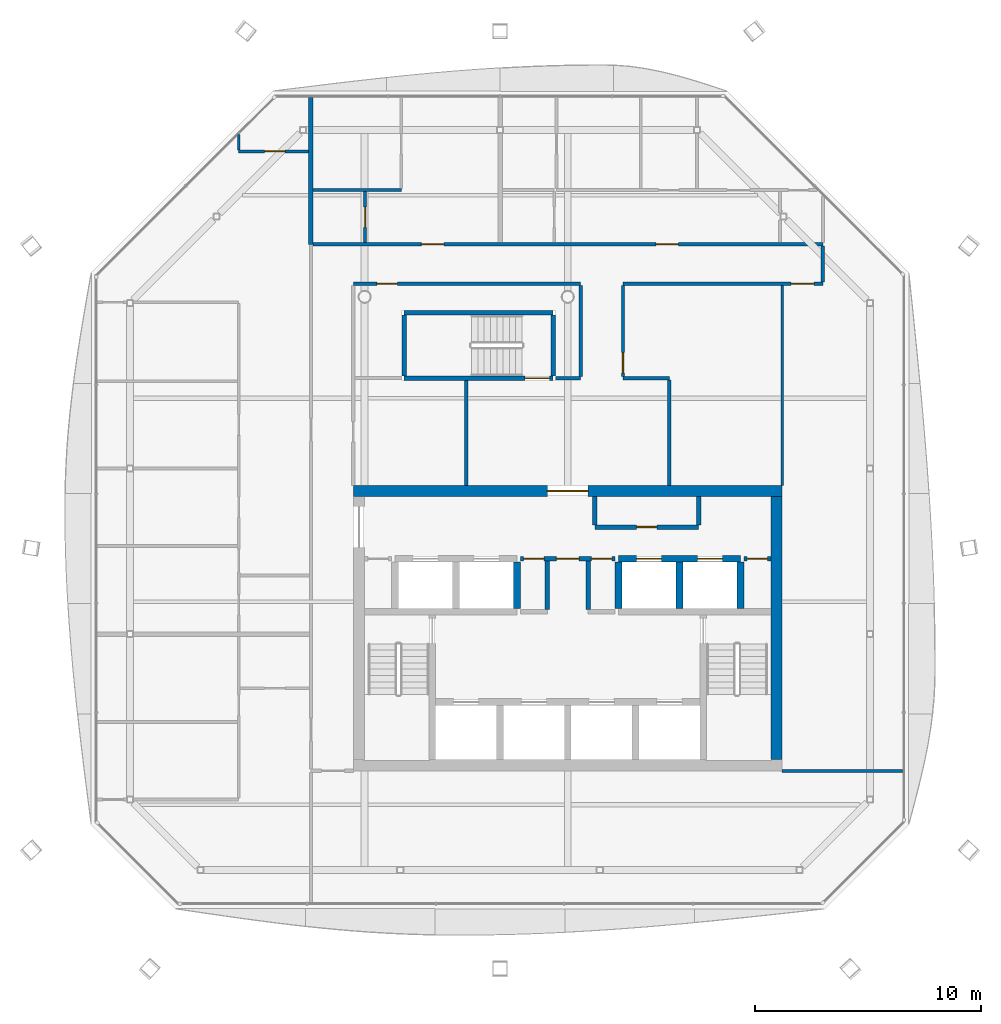
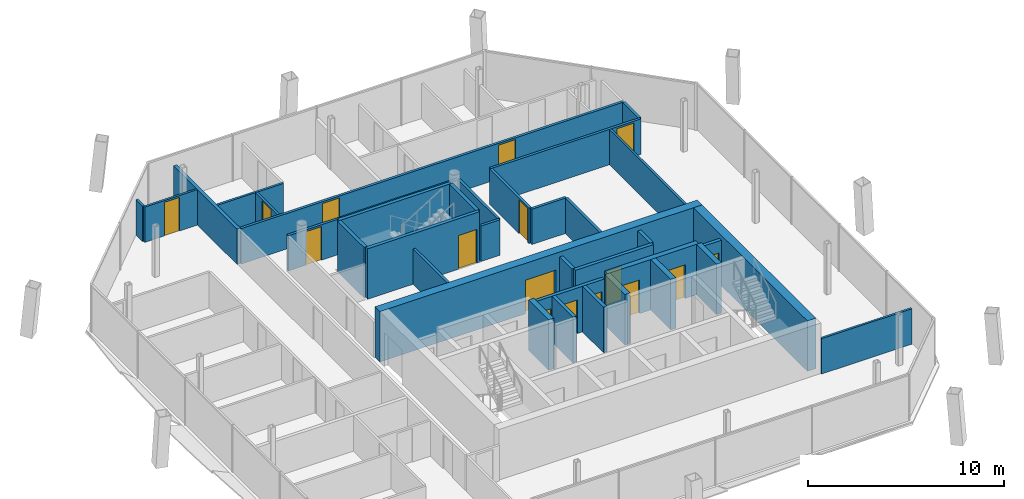
# One storey, part 11 of 15: 35 walls, 16 doors, 16 openings.
"""IFC4 building model written with IfcOpenShell, lengths in metres."""

from ifc_helpers import new_model, si_unit, direction, frame, frame_2d, origin, place, context, subcontext, project, spatial, rectangle, extrude, material, layer, layer_set, type_object, element, fill, save


model = new_model("IFC4")

# Units and contexts
model_context = context("Model", 3, precision=1e-05, world=origin(), true_north=direction((0.0, 1.0)))
body_context = subcontext(model_context, "Body", "Model", "MODEL_VIEW")
ifc_project = project(units=[si_unit("LENGTHUNIT", "METRE"), si_unit("AREAUNIT", "SQUARE_METRE"), si_unit("VOLUMEUNIT", "CUBIC_METRE"), si_unit("PLANEANGLEUNIT", "RADIAN"), si_unit("MASSUNIT", "GRAM", prefix="KILO")], contexts=[model_context])

# Site, building, storey
site_placement = place(None, origin())
site = spatial("IfcSite", under=ifc_project, at=site_placement, CompositionType="ELEMENT")
building_placement = place(site_placement, origin())
building = spatial("IfcBuilding", under=site, at=building_placement, Name="Tskaro Facet Tower", CompositionType="ELEMENT")
storey_placement = place(building_placement, frame((0.0, 0.0, 239.25)))
storey = spatial("IfcBuildingStorey", under=building, at=storey_placement, Name="L62", CompositionType="ELEMENT", Elevation=239.25)

# Wall, openings, doors
ifc_material_1 = material(Name="Concrete C60/75", Category="concrete")
ifc_layer_1 = layer(ifc_material_1, 0.300048828125, Name="Concrete C60/75")
ifc_layer_set_1 = layer_set([ifc_layer_1], Name="Concrete C60/75")
wall_type_1 = type_object("IfcWallType", Name="CORE-SHAFT", PredefinedType="SHEAR", material=ifc_layer_set_1)
wall_1_placement = place(storey_placement, frame((2.25, -2.60009765625, 0.0), z_axis=(0.0, 0.0, 1.0), x_axis=(1.0, 0.0, 0.0)))
wall_1 = element("IfcWall", 1, at=wall_1_placement, inside=storey, type_object=wall_type_1, Name="Shaft wall W018", PredefinedType="SHEAR", context=body_context, shape_type="SweptSolid", body=[
    extrude(rectangle(XDim=5.39990234375, YDim=0.300048828125, at=frame_2d((2.699951171875, 0.0))), origin(), (0.0, 0.0, 1.0), 3.14990234375),
])
opening_1_placement = place(wall_1_placement, frame((0.800048828125, 0.0, 0.0)))
opening_1 = element("IfcOpeningElement", 2, at=opening_1_placement, cuts=wall_1, Name="Opening LD-HB3", PredefinedType="OPENING", context=body_context, shape_type="SweptSolid", body=[
    extrude(rectangle(XDim=1.10009765625, YDim=2.10009765625, at=frame_2d((0.550048828125, 1.050048828125))), frame((0.0, 0.159912109375, 0.0), z_axis=(0.0, -1.0, 0.0), x_axis=(1.0, 0.0, 0.0)), (0.0, 0.0, 1.0), 0.320068359375),
])
opening_2_placement = place(wall_1_placement, frame((3.5, 0.0, 0.0)))
opening_2 = element("IfcOpeningElement", 3, at=opening_2_placement, cuts=wall_1, Name="Opening LD-HB4", PredefinedType="OPENING", context=body_context, shape_type="SweptSolid", body=[
    extrude(rectangle(XDim=1.10009765625, YDim=2.10009765625, at=frame_2d((0.550048828125, 1.050048828125))), frame((0.0, 0.159912109375, 0.0), z_axis=(0.0, -1.0, 0.0), x_axis=(1.0, 0.0, 0.0)), (0.0, 0.0, 1.0), 0.320068359375),
])
ifc_material_2 = material(Name="Stainless steel", Category="steel")
door_type_1 = type_object("IfcDoorType", Name="D-LANDING", OperationType="NOTDEFINED", PredefinedType="DOOR", material=ifc_material_2)
door_1_placement = place(opening_1_placement, origin())
door_1 = element("IfcDoor", 4, at=door_1_placement, inside=storey, type_object=door_type_1, Name="Landing door HB3", OperationType="DOUBLE_DOOR_SLIDING", OverallHeight=2.10009765625, OverallWidth=1.10009765625, PredefinedType="DOOR", context=body_context, shape_type="SweptSolid", body=[
    extrude(rectangle(XDim=1.10009765625, YDim=2.10009765625, at=frame_2d((0.550048828125, 1.050048828125))), frame((0.0, 0.02490234375, 0.0), z_axis=(0.0, -1.0, 0.0), x_axis=(1.0, 0.0, 0.0)), (0.0, 0.0, 1.0), 0.050048828125),
])
fill(opening_1, door_1)
door_2_placement = place(opening_2_placement, origin())
door_2 = element("IfcDoor", 5, at=door_2_placement, inside=storey, type_object=door_type_1, Name="Landing door HB4", OperationType="DOUBLE_DOOR_SLIDING", OverallHeight=2.10009765625, OverallWidth=1.10009765625, PredefinedType="DOOR", context=body_context, shape_type="SweptSolid", body=[
    extrude(rectangle(XDim=1.10009765625, YDim=2.10009765625, at=frame_2d((0.550048828125, 1.050048828125))), frame((0.0, 0.02490234375, 0.0), z_axis=(0.0, -1.0, 0.0), x_axis=(1.0, 0.0, 0.0)), (0.0, 0.0, 1.0), 0.050048828125),
])
fill(opening_2, door_2)

# Walls
for number, where, z_axis, x_axis, name in (
    (6, (-2.25, -4.800048828125, 0.0), (0.0, 0.0, 1.0), (0.0, 1.0, 0.0), "Shaft wall W055"),
    (7, (2.25, -4.800048828125, 0.0), (0.0, 0.0, 1.0), (0.0, 1.0, 0.0), "Shaft wall W064"),
    (8, (4.949951171875, -4.800048828125, 0.0), (0.0, 0.0, 1.0), (0.0, 1.0, 0.0), "Shaft wall W069"),
    (9, (7.64990234375, -4.800048828125, 0.0), (0.0, 0.0, 1.0), (0.0, 1.0, 0.0), "Shaft wall W074"),
):
    element("IfcWall", number, at=place(storey_placement, frame(where, z_axis=z_axis, x_axis=x_axis)), inside=storey, type_object=wall_type_1, Name=name, PredefinedType="SHEAR", context=body_context, shape_type="SweptSolid", body=[
        extrude(rectangle(XDim=2.050048828125, YDim=0.300048828125, at=frame_2d((1.02490234375, 0.0))), origin(), (0.0, 0.0, 1.0), 3.14990234375),
    ])

# Wall, openings, doors
ifc_material_3 = material(Name="Concrete C20/25", Category="concrete")
ifc_layer_2 = layer(ifc_material_3, 0.199951171875, Name="Concrete C20/25")
ifc_layer_set_2 = layer_set([ifc_layer_2], Name="Concrete C20/25")
wall_type_2 = type_object("IfcWallType", Name="CORE-WALL", PredefinedType="SOLIDWALL", material=ifc_layer_set_2)
wall_2_placement = place(storey_placement, frame((2.10009765625, -2.60009765625, 0.0), z_axis=(0.0, 0.0, 1.0), x_axis=(-1.0, 0.0, 0.0)))
wall_2 = element("IfcWall", 10, at=wall_2_placement, inside=storey, type_object=wall_type_2, Name="Core room wall W017", PredefinedType="SOLIDWALL", context=body_context, shape_type="SweptSolid", body=[
    extrude(rectangle(XDim=4.2001953125, YDim=0.199951171875, at=frame_2d((2.10009765625, 0.0))), origin(), (0.0, 0.0, 1.0), 2.85009765625),
])
opening_3_placement = place(wall_2_placement, frame((1.60009765625, 0.0, 0.0)))
opening_3 = element("IfcOpeningElement", 11, at=opening_3_placement, cuts=wall_2, Name="Opening FL-D1", PredefinedType="OPENING", context=body_context, shape_type="SweptSolid", body=[
    extrude(rectangle(XDim=1.0, YDim=2.10009765625, at=frame_2d((0.5, 1.050048828125))), frame((0.0, 0.10986328125, 0.0), z_axis=(0.0, -1.0, 0.0), x_axis=(1.0, 0.0, 0.0)), (0.0, 0.0, 1.0), 0.219970703125),
])
opening_4_placement = place(wall_2_placement, frame((3.14990234375, 0.0, 0.0)))
opening_4 = element("IfcOpeningElement", 12, at=opening_4_placement, cuts=wall_2, Name="Opening T18-D09", PredefinedType="OPENING", context=body_context, shape_type="SweptSolid", body=[
    extrude(rectangle(XDim=0.89990234375, YDim=2.10009765625, at=frame_2d((0.449951171875, 1.050048828125))), frame((0.0, 0.10986328125, 0.0), z_axis=(0.0, -1.0, 0.0), x_axis=(1.0, 0.0, 0.0)), (0.0, 0.0, 1.0), 0.219970703125),
])
opening_5_placement = place(wall_2_placement, frame((0.14990234375, 0.0, 0.0)))
opening_5 = element("IfcOpeningElement", 13, at=opening_5_placement, cuts=wall_2, Name="Opening T18-D10", PredefinedType="OPENING", context=body_context, shape_type="SweptSolid", body=[
    extrude(rectangle(XDim=0.89990234375, YDim=2.10009765625, at=frame_2d((0.449951171875, 1.050048828125))), frame((0.0, 0.10986328125, 0.0), z_axis=(0.0, -1.0, 0.0), x_axis=(1.0, 0.0, 0.0)), (0.0, 0.0, 1.0), 0.219970703125),
])
ifc_material_4 = material(Name="Steel", Category="steel")
door_type_2 = type_object("IfcDoorType", Name="D-LOBBY", OperationType="NOTDEFINED", PredefinedType="DOOR", material=ifc_material_4)
door_3_placement = place(opening_3_placement, origin())
door_3 = element("IfcDoor", 14, at=door_3_placement, inside=storey, type_object=door_type_2, Name="Lobby door FL", OperationType="SINGLE_SWING_RIGHT", OverallHeight=2.10009765625, OverallWidth=1.0, PredefinedType="DOOR", context=body_context, shape_type="SweptSolid", body=[
    extrude(rectangle(XDim=1.0, YDim=2.10009765625, at=frame_2d((0.5, 1.050048828125))), frame((0.0, 0.02490234375, 0.0), z_axis=(0.0, -1.0, 0.0), x_axis=(1.0, 0.0, 0.0)), (0.0, 0.0, 1.0), 0.050048828125),
])
fill(opening_3, door_3)
ifc_material_5 = material(Name="Timber", Category="wood")
door_type_3 = type_object("IfcDoorType", Name="D-ROOM", OperationType="NOTDEFINED", PredefinedType="DOOR", material=ifc_material_5)
door_4_placement = place(opening_4_placement, origin())
door_4 = element("IfcDoor", 15, at=door_4_placement, inside=storey, type_object=door_type_3, Name="Door T18-D09", OperationType="SINGLE_SWING_RIGHT", OverallHeight=2.10009765625, OverallWidth=0.89990234375, PredefinedType="DOOR", context=body_context, shape_type="SweptSolid", body=[
    extrude(rectangle(XDim=0.89990234375, YDim=2.10009765625, at=frame_2d((0.449951171875, 1.050048828125))), frame((0.0, 0.02490234375, 0.0), z_axis=(0.0, -1.0, 0.0), x_axis=(1.0, 0.0, 0.0)), (0.0, 0.0, 1.0), 0.050048828125),
])
fill(opening_4, door_4)
door_5_placement = place(opening_5_placement, origin())
door_5 = element("IfcDoor", 16, at=door_5_placement, inside=storey, type_object=door_type_3, Name="Door T18-D10", OperationType="SINGLE_SWING_RIGHT", OverallHeight=2.10009765625, OverallWidth=0.89990234375, PredefinedType="DOOR", context=body_context, shape_type="SweptSolid", body=[
    extrude(rectangle(XDim=0.89990234375, YDim=2.10009765625, at=frame_2d((0.449951171875, 1.050048828125))), frame((0.0, 0.02490234375, 0.0), z_axis=(0.0, -1.0, 0.0), x_axis=(1.0, 0.0, 0.0)), (0.0, 0.0, 1.0), 0.050048828125),
])
fill(opening_5, door_5)

# Wall, opening, door
wall_3_placement = place(storey_placement, frame((9.0, -2.60009765625, 0.0), z_axis=(0.0, 0.0, 1.0), x_axis=(-1.0, 0.0, 0.0)))
wall_3 = element("IfcWall", 17, at=wall_3_placement, inside=storey, type_object=wall_type_2, Name="Core room wall W019", PredefinedType="SOLIDWALL", context=body_context, shape_type="SweptSolid", body=[
    extrude(rectangle(XDim=1.199951171875, YDim=0.199951171875, at=frame_2d((0.60009765625, 0.0))), origin(), (0.0, 0.0, 1.0), 2.85009765625),
])
opening_6_placement = place(wall_3_placement, frame((0.14990234375, 0.0, 0.0)))
opening_6 = element("IfcOpeningElement", 18, at=opening_6_placement, cuts=wall_3, Name="Opening T18-D11", PredefinedType="OPENING", context=body_context, shape_type="SweptSolid", body=[
    extrude(rectangle(XDim=0.89990234375, YDim=2.10009765625, at=frame_2d((0.449951171875, 1.050048828125))), frame((0.0, 0.10986328125, 0.0), z_axis=(0.0, -1.0, 0.0), x_axis=(1.0, 0.0, 0.0)), (0.0, 0.0, 1.0), 0.219970703125),
])
door_6_placement = place(opening_6_placement, origin())
door_6 = element("IfcDoor", 19, at=door_6_placement, inside=storey, type_object=door_type_3, Name="Door T18-D11", OperationType="SINGLE_SWING_RIGHT", OverallHeight=2.10009765625, OverallWidth=0.89990234375, PredefinedType="DOOR", context=body_context, shape_type="SweptSolid", body=[
    extrude(rectangle(XDim=0.89990234375, YDim=2.10009765625, at=frame_2d((0.449951171875, 1.050048828125))), frame((0.0, 0.02490234375, 0.0), z_axis=(0.0, -1.0, 0.0), x_axis=(1.0, 0.0, 0.0)), (0.0, 0.0, 1.0), 0.050048828125),
])
fill(opening_6, door_6)

wall_4_placement = place(storey_placement, frame((1.199951171875, -1.199951171875, 0.0), z_axis=(0.0, 0.0, 1.0), x_axis=(1.0, 0.0, 0.0)))
wall_4 = element("IfcWall", 20, at=wall_4_placement, inside=storey, type_object=wall_type_2, Name="Core room wall W021", PredefinedType="SOLIDWALL", context=body_context, shape_type="SweptSolid", body=[
    extrude(rectangle(XDim=4.60009765625, YDim=0.199951171875, at=frame_2d((2.300048828125, 0.0))), origin(), (0.0, 0.0, 1.0), 2.85009765625),
])
opening_7_placement = place(wall_4_placement, frame((1.85009765625, 0.0, 0.0)))
opening_7 = element("IfcOpeningElement", 21, at=opening_7_placement, cuts=wall_4, Name="Opening T18-D13", PredefinedType="OPENING", context=body_context, shape_type="SweptSolid", body=[
    extrude(rectangle(XDim=0.89990234375, YDim=2.10009765625, at=frame_2d((0.449951171875, 1.050048828125))), frame((0.0, 0.10986328125, 0.0), z_axis=(0.0, -1.0, 0.0), x_axis=(1.0, 0.0, 0.0)), (0.0, 0.0, 1.0), 0.219970703125),
])
door_7_placement = place(opening_7_placement, origin())
door_7 = element("IfcDoor", 22, at=door_7_placement, inside=storey, type_object=door_type_3, Name="Door T18-D13", OperationType="SINGLE_SWING_LEFT", OverallHeight=2.10009765625, OverallWidth=0.89990234375, PredefinedType="DOOR", context=body_context, shape_type="SweptSolid", body=[
    extrude(rectangle(XDim=0.89990234375, YDim=2.10009765625, at=frame_2d((0.449951171875, 1.050048828125))), frame((0.0, 0.02490234375, 0.0), z_axis=(0.0, -1.0, 0.0), x_axis=(1.0, 0.0, 0.0)), (0.0, 0.0, 1.0), 0.050048828125),
])
fill(opening_7, door_7)

# Walls
for number, where, z_axis, x_axis, name in (
    (23, (-0.89990234375, -4.85009765625, 0.0), (0.0, 0.0, 1.0), (0.0, 1.0, 0.0), "Core room wall W056"),
    (24, (0.89990234375, -4.85009765625, 0.0), (0.0, 0.0, 1.0), (0.0, 1.0, 0.0), "Core room wall W062"),
):
    element("IfcWall", number, at=place(storey_placement, frame(where, z_axis=z_axis, x_axis=x_axis)), inside=storey, type_object=wall_type_2, Name=name, PredefinedType="SOLIDWALL", context=body_context, shape_type="SweptSolid", body=[
        extrude(rectangle(XDim=2.150146484375, YDim=0.199951171875, at=frame_2d((1.0751953125, 0.0))), origin(), (0.0, 0.0, 1.0), 2.85009765625),
    ])
for number, where, z_axis, x_axis, name in (
    (25, (1.199951171875, -1.10009765625, 0.0), (0.0, 0.0, 1.0), (0.0, 1.0, 0.0), "Core room wall W063"),
    (26, (5.800048828125, -1.10009765625, 0.0), (0.0, 0.0, 1.0), (0.0, 1.0, 0.0), "Core room wall W072"),
):
    element("IfcWall", number, at=place(storey_placement, frame(where, z_axis=z_axis, x_axis=x_axis)), inside=storey, type_object=wall_type_2, Name=name, PredefinedType="SOLIDWALL", context=body_context, shape_type="SweptSolid", body=[
        extrude(rectangle(XDim=1.25, YDim=0.199951171875, at=frame_2d((0.625, 0.0))), origin(), (0.0, 0.0, 1.0), 2.85009765625),
    ])

# Wall, opening, door
ifc_material_6 = material(Name="Concrete C40/50", Category="concrete")
ifc_layer_3 = layer(ifc_material_6, 0.5, Name="Concrete C40/50")
ifc_layer_set_3 = layer_set([ifc_layer_3], Name="Concrete C40/50")
wall_type_3 = type_object("IfcWallType", Name="Core wall 500", PredefinedType="SHEAR", material=ifc_layer_set_3)
wall_5_placement = place(storey_placement, frame((-9.5, 0.39990234375, 0.0), z_axis=(0.0, 0.0, 1.0), x_axis=(1.0, 0.0, 0.0)))
wall_5 = element("IfcWall", 27, at=wall_5_placement, inside=storey, type_object=wall_type_3, Name="Core wall CW-Z3N", PredefinedType="SHEAR", context=body_context, shape_type="SweptSolid", body=[
    extrude(rectangle(XDim=19.0, YDim=0.5, at=frame_2d((9.5, 0.0))), origin(), (0.0, 0.0, 1.0), 3.14990234375),
])
opening_8_placement = place(wall_5_placement, frame((8.60009765625, 0.0, 0.0)))
opening_8 = element("IfcOpeningElement", 28, at=opening_8_placement, cuts=wall_5, Name="Opening T18-D15", PredefinedType="OPENING", context=body_context, shape_type="SweptSolid", body=[
    extrude(rectangle(XDim=1.800048828125, YDim=2.10009765625, at=frame_2d((0.89990234375, 1.050048828125))), frame((0.0, 0.260009765625, 0.0), z_axis=(0.0, -1.0, 0.0), x_axis=(1.0, 0.0, 0.0)), (0.0, 0.0, 1.0), 0.52001953125),
])
door_type_4 = type_object("IfcDoorType", Name="D-CORE-PAIR", OperationType="NOTDEFINED", PredefinedType="DOOR", material=ifc_material_4)
door_8_placement = place(opening_8_placement, origin())
door_8 = element("IfcDoor", 29, at=door_8_placement, inside=storey, type_object=door_type_4, Name="Door T18-D15", OperationType="DOUBLE_DOOR_SINGLE_SWING", OverallHeight=2.10009765625, OverallWidth=1.800048828125, PredefinedType="DOOR", context=body_context, shape_type="SweptSolid", body=[
    extrude(rectangle(XDim=1.800048828125, YDim=2.10009765625, at=frame_2d((0.89990234375, 1.050048828125))), frame((0.0, 0.02490234375, 0.0), z_axis=(0.0, -1.0, 0.0), x_axis=(1.0, 0.0, 0.0)), (0.0, 0.0, 1.0), 0.050048828125),
])
fill(opening_8, door_8)

# Walls
wall_6_placement = place(storey_placement, frame((9.25, -11.5, 0.0), z_axis=(0.0, 0.0, 1.0), x_axis=(0.0, 1.0, 0.0)))
element("IfcWall", 30, at=wall_6_placement, inside=storey, type_object=wall_type_3, Name="Core wall CW-Z3E", PredefinedType="SHEAR", context=body_context, shape_type="SweptSolid", body=[
    extrude(rectangle(XDim=11.64990234375, YDim=0.5, at=frame_2d((5.824951171875, 0.0))), origin(), (0.0, 0.0, 1.0), 3.14990234375),
])
ifc_material_7 = material(Name="Gypsum board on steel studs", Category="steel")
ifc_layer_4 = layer(ifc_material_7, 0.125, Name="Gypsum board on steel studs")
ifc_layer_set_4 = layer_set([ifc_layer_4], Name="Gypsum board on steel studs")
wall_type_4 = type_object("IfcWallType", Name="PART", PredefinedType="PARTITIONING", material=ifc_layer_set_4)
wall_7_placement = place(storey_placement, frame((9.5, -12.0, 0.0), z_axis=(0.0, 0.0, 1.0), x_axis=(1.0, 0.0, 0.0)))
element("IfcWall", 31, at=wall_7_placement, inside=storey, type_object=wall_type_4, Name="Partition W004", PredefinedType="PARTITIONING", context=body_context, shape_type="SweptSolid", body=[
    extrude(rectangle(XDim=5.339111328125, YDim=0.125, at=frame_2d((2.66943359375, 0.0))), origin(), (0.0, 0.0, 1.0), 2.2099609375),
])
wall_8_placement = place(storey_placement, frame((-11.27490234375, 13.72509765625, 0.0), z_axis=(0.0, 0.0, 1.0), x_axis=(1.0, 0.0, 0.0)))
element("IfcWall", 32, at=wall_8_placement, inside=storey, type_object=wall_type_4, Name="Partition W035", PredefinedType="PARTITIONING", context=body_context, shape_type="SweptSolid", body=[
    extrude(rectangle(XDim=3.89990234375, YDim=0.125, at=frame_2d((1.949951171875, 0.0))), origin(), (0.0, 0.0, 1.0), 2.2099609375),
])

# Wall, opening, door
wall_9_placement = place(storey_placement, frame((-14.574951171875, 15.43994140625, 0.0), z_axis=(0.0, 0.0, 1.0), x_axis=(1.0, 0.0, 0.0)))
wall_9 = element("IfcWall", 33, at=wall_9_placement, inside=storey, type_object=wall_type_4, Name="Partition W038", PredefinedType="PARTITIONING", context=body_context, shape_type="SweptSolid", body=[
    extrude(rectangle(XDim=3.099853515625, YDim=0.125, at=frame_2d((1.5498046875, 0.0))), origin(), (0.0, 0.0, 1.0), 2.2099609375),
])
opening_9_placement = place(wall_9_placement, frame((1.14990234375, 0.0, 0.0)))
opening_9 = element("IfcOpeningElement", 34, at=opening_9_placement, cuts=wall_9, Name="Opening T18-D30", PredefinedType="OPENING", context=body_context, shape_type="SweptSolid", body=[
    extrude(rectangle(XDim=0.89990234375, YDim=2.10009765625, at=frame_2d((0.449951171875, 1.050048828125))), frame((0.0, 0.072509765625, 0.0), z_axis=(0.0, -1.0, 0.0), x_axis=(1.0, 0.0, 0.0)), (0.0, 0.0, 1.0), 0.14501953125),
])
door_9_placement = place(opening_9_placement, origin())
door_9 = element("IfcDoor", 35, at=door_9_placement, inside=storey, type_object=door_type_3, Name="Door T18-D30", OperationType="SINGLE_SWING_LEFT", OverallHeight=2.10009765625, OverallWidth=0.89990234375, PredefinedType="DOOR", context=body_context, shape_type="SweptSolid", body=[
    extrude(rectangle(XDim=0.89990234375, YDim=2.10009765625, at=frame_2d((0.449951171875, 1.050048828125))), frame((0.0, 0.02490234375, 0.0), z_axis=(0.0, -1.0, 0.0), x_axis=(1.0, 0.0, 0.0)), (0.0, 0.0, 1.0), 0.050048828125),
])
fill(opening_9, door_9)

# Wall
wall_10_placement = place(storey_placement, frame((-14.574951171875, 15.50244140625, 0.0), z_axis=(0.0, 0.0, 1.0), x_axis=(0.0, 1.0, 0.0)))
element("IfcWall", 36, at=wall_10_placement, inside=storey, type_object=wall_type_4, Name="Partition W040", PredefinedType="PARTITIONING", context=body_context, shape_type="SweptSolid", body=[
    extrude(rectangle(XDim=0.689453125, YDim=0.125, at=frame_2d((0.3447265625, 0.0))), origin(), (0.0, 0.0, 1.0), 2.2099609375),
])

# Wall, opening, door
wall_11_placement = place(storey_placement, frame((-8.97509765625, 11.39990234375, 0.0), z_axis=(0.0, 0.0, 1.0), x_axis=(0.0, 1.0, 0.0)))
wall_11 = element("IfcWall", 37, at=wall_11_placement, inside=storey, type_object=wall_type_4, Name="Partition W045", PredefinedType="PARTITIONING", context=body_context, shape_type="SweptSolid", body=[
    extrude(rectangle(XDim=2.2626953125, YDim=0.125, at=frame_2d((1.13134765625, 0.0))), origin(), (0.0, 0.0, 1.0), 2.2099609375),
])
opening_10_placement = place(wall_11_placement, frame((0.675048828125, 0.0, 0.0)))
opening_10 = element("IfcOpeningElement", 38, at=opening_10_placement, cuts=wall_11, Name="Opening T18-D25", PredefinedType="OPENING", context=body_context, shape_type="SweptSolid", body=[
    extrude(rectangle(XDim=0.89990234375, YDim=2.10009765625, at=frame_2d((0.449951171875, 1.050048828125))), frame((0.0, 0.072509765625, 0.0), z_axis=(0.0, -1.0, 0.0), x_axis=(1.0, 0.0, 0.0)), (0.0, 0.0, 1.0), 0.14501953125),
])
door_10_placement = place(opening_10_placement, origin())
door_10 = element("IfcDoor", 39, at=door_10_placement, inside=storey, type_object=door_type_3, Name="Door T18-D25", OperationType="SINGLE_SWING_LEFT", OverallHeight=2.10009765625, OverallWidth=0.89990234375, PredefinedType="DOOR", context=body_context, shape_type="SweptSolid", body=[
    extrude(rectangle(XDim=0.89990234375, YDim=2.10009765625, at=frame_2d((0.449951171875, 1.050048828125))), frame((0.0, 0.02490234375, 0.0), z_axis=(0.0, -1.0, 0.0), x_axis=(1.0, 0.0, 0.0)), (0.0, 0.0, 1.0), 0.050048828125),
])
fill(opening_10, door_10)

# Walls
wall_12_placement = place(storey_placement, frame((9.5, 0.64990234375, 0.0), z_axis=(0.0, 0.0, 1.0), x_axis=(0.0, 1.0, 0.0)))
element("IfcWall", 40, at=wall_12_placement, inside=storey, type_object=wall_type_4, Name="Partition W077", PredefinedType="PARTITIONING", context=body_context, shape_type="SweptSolid", body=[
    extrude(rectangle(XDim=8.85009765625, YDim=0.125, at=frame_2d((4.425048828125, 0.0))), origin(), (0.0, 0.0, 1.0), 2.2099609375),
])
ifc_layer_5 = layer(ifc_material_7, 0.14990234375, Name="Gypsum board on steel studs")
ifc_layer_set_5 = layer_set([ifc_layer_5], Name="Gypsum board on steel studs")
wall_type_5 = type_object("IfcWallType", Name="PART-CORR", PredefinedType="PARTITIONING", material=ifc_layer_set_5)
wall_13_placement = place(storey_placement, frame((-0.550048828125, 5.39990234375, 0.0), z_axis=(0.0, 0.0, 1.0), x_axis=(1.0, 0.0, 0.0)))
element("IfcWall", 41, at=wall_13_placement, inside=storey, type_object=wall_type_5, Name="Corridor wall W027", PredefinedType="PARTITIONING", context=body_context, shape_type="SweptSolid", body=[
    extrude(rectangle(XDim=1.125, YDim=0.14990234375, at=frame_2d((0.5625, 0.0))), origin(), (0.0, 0.0, 1.0), 2.2099609375),
])
wall_14_placement = place(storey_placement, frame((2.449951171875, 5.39990234375, 0.0), z_axis=(0.0, 0.0, 1.0), x_axis=(1.0, 0.0, 0.0)))
element("IfcWall", 42, at=wall_14_placement, inside=storey, type_object=wall_type_5, Name="Corridor wall W028", PredefinedType="PARTITIONING", context=body_context, shape_type="SweptSolid", body=[
    extrude(rectangle(XDim=2.050048828125, YDim=0.14990234375, at=frame_2d((1.02490234375, 0.0))), origin(), (0.0, 0.0, 1.0), 2.2099609375),
])

# Wall, opening, door
wall_15_placement = place(storey_placement, frame((0.574951171875, 9.574951171875, 0.0), z_axis=(0.0, 0.0, 1.0), x_axis=(-1.0, 0.0, 0.0)))
wall_15 = element("IfcWall", 43, at=wall_15_placement, inside=storey, type_object=wall_type_5, Name="Corridor wall W032", PredefinedType="PARTITIONING", context=body_context, shape_type="SweptSolid", body=[
    extrude(rectangle(XDim=10.074951171875, YDim=0.14990234375, at=frame_2d((5.03759765625, 0.0))), origin(), (0.0, 0.0, 1.0), 2.2099609375),
])
opening_11_placement = place(wall_15_placement, frame((8.125, 0.0, 0.0)))
opening_11 = element("IfcOpeningElement", 44, at=opening_11_placement, cuts=wall_15, Name="Opening T18-D21", PredefinedType="OPENING", context=body_context, shape_type="SweptSolid", body=[
    extrude(rectangle(XDim=0.89990234375, YDim=2.10009765625, at=frame_2d((0.449951171875, 1.050048828125))), frame((0.0, 0.0849609375, 0.0), z_axis=(0.0, -1.0, 0.0), x_axis=(1.0, 0.0, 0.0)), (0.0, 0.0, 1.0), 0.169921875),
])
door_11_placement = place(opening_11_placement, origin())
door_11 = element("IfcDoor", 45, at=door_11_placement, inside=storey, type_object=door_type_3, Name="Door T18-D21", OperationType="SINGLE_SWING_RIGHT", OverallHeight=2.10009765625, OverallWidth=0.89990234375, PredefinedType="DOOR", context=body_context, shape_type="SweptSolid", body=[
    extrude(rectangle(XDim=0.89990234375, YDim=2.10009765625, at=frame_2d((0.449951171875, 1.050048828125))), frame((0.0, 0.02490234375, 0.0), z_axis=(0.0, -1.0, 0.0), x_axis=(1.0, 0.0, 0.0)), (0.0, 0.0, 1.0), 0.050048828125),
])
fill(opening_11, door_11)

wall_16_placement = place(storey_placement, frame((11.300048828125, 9.574951171875, 0.0), z_axis=(0.0, 0.0, 1.0), x_axis=(-1.0, 0.0, 0.0)))
wall_16 = element("IfcWall", 46, at=wall_16_placement, inside=storey, type_object=wall_type_5, Name="Corridor wall W033", PredefinedType="PARTITIONING", context=body_context, shape_type="SweptSolid", body=[
    extrude(rectangle(XDim=8.85009765625, YDim=0.14990234375, at=frame_2d((4.425048828125, 0.0))), origin(), (0.0, 0.0, 1.0), 2.2099609375),
])
opening_12_placement = place(wall_16_placement, frame((0.39990234375, 0.0, 0.0)))
opening_12 = element("IfcOpeningElement", 47, at=opening_12_placement, cuts=wall_16, Name="Opening T18-D22", PredefinedType="OPENING", context=body_context, shape_type="SweptSolid", body=[
    extrude(rectangle(XDim=1.0, YDim=2.10009765625, at=frame_2d((0.5, 1.050048828125))), frame((0.0, 0.0849609375, 0.0), z_axis=(0.0, -1.0, 0.0), x_axis=(1.0, 0.0, 0.0)), (0.0, 0.0, 1.0), 0.169921875),
])
door_type_5 = type_object("IfcDoorType", Name="D-ROOM-WIDE", OperationType="NOTDEFINED", PredefinedType="DOOR", material=ifc_material_5)
door_12_placement = place(opening_12_placement, origin())
door_12 = element("IfcDoor", 48, at=door_12_placement, inside=storey, type_object=door_type_5, Name="Door T18-D22", OperationType="SINGLE_SWING_RIGHT", OverallHeight=2.10009765625, OverallWidth=1.0, PredefinedType="DOOR", context=body_context, shape_type="SweptSolid", body=[
    extrude(rectangle(XDim=1.0, YDim=2.10009765625, at=frame_2d((0.5, 1.050048828125))), frame((0.0, 0.02490234375, 0.0), z_axis=(0.0, -1.0, 0.0), x_axis=(1.0, 0.0, 0.0)), (0.0, 0.0, 1.0), 0.050048828125),
])
fill(opening_12, door_12)

# Wall, openings, doors
wall_17_placement = place(storey_placement, frame((-11.27490234375, 11.324951171875, 0.0), z_axis=(0.0, 0.0, 1.0), x_axis=(1.0, 0.0, 0.0)))
wall_17 = element("IfcWall", 49, at=wall_17_placement, inside=storey, type_object=wall_type_5, Name="Corridor wall W034", PredefinedType="PARTITIONING", context=body_context, shape_type="SweptSolid", body=[
    extrude(rectangle(XDim=22.574951171875, YDim=0.14990234375, at=frame_2d((11.28759765625, 0.0))), origin(), (0.0, 0.0, 1.0), 2.2099609375),
])
opening_13_placement = place(wall_17_placement, frame((4.78759765625, 0.0, 0.0)))
opening_13 = element("IfcOpeningElement", 50, at=opening_13_placement, cuts=wall_17, Name="Opening T18-D23", PredefinedType="OPENING", context=body_context, shape_type="SweptSolid", body=[
    extrude(rectangle(XDim=1.0, YDim=2.10009765625, at=frame_2d((0.5, 1.050048828125))), frame((0.0, 0.0849609375, 0.0), z_axis=(0.0, -1.0, 0.0), x_axis=(1.0, 0.0, 0.0)), (0.0, 0.0, 1.0), 0.169921875),
])
opening_14_placement = place(wall_17_placement, frame((15.175048828125, 0.0, 0.0)))
opening_14 = element("IfcOpeningElement", 51, at=opening_14_placement, cuts=wall_17, Name="Opening T18-D24", PredefinedType="OPENING", context=body_context, shape_type="SweptSolid", body=[
    extrude(rectangle(XDim=1.0, YDim=2.10009765625, at=frame_2d((0.5, 1.050048828125))), frame((0.0, 0.0849609375, 0.0), z_axis=(0.0, -1.0, 0.0), x_axis=(1.0, 0.0, 0.0)), (0.0, 0.0, 1.0), 0.169921875),
])
door_type_6 = type_object("IfcDoorType", Name="D-FLAT-ENTRY", OperationType="NOTDEFINED", PredefinedType="DOOR", material=ifc_material_5)
door_13_placement = place(opening_13_placement, origin())
door_13 = element("IfcDoor", 52, at=door_13_placement, inside=storey, type_object=door_type_6, Name="Door T18-D23", OperationType="SINGLE_SWING_LEFT", OverallHeight=2.10009765625, OverallWidth=1.0, PredefinedType="DOOR", context=body_context, shape_type="SweptSolid", body=[
    extrude(rectangle(XDim=1.0, YDim=2.10009765625, at=frame_2d((0.5, 1.050048828125))), frame((0.0, 0.02490234375, 0.0), z_axis=(0.0, -1.0, 0.0), x_axis=(1.0, 0.0, 0.0)), (0.0, 0.0, 1.0), 0.050048828125),
])
fill(opening_13, door_13)
door_14_placement = place(opening_14_placement, origin())
door_14 = element("IfcDoor", 53, at=door_14_placement, inside=storey, type_object=door_type_6, Name="Door T18-D24", OperationType="SINGLE_SWING_LEFT", OverallHeight=2.10009765625, OverallWidth=1.0, PredefinedType="DOOR", context=body_context, shape_type="SweptSolid", body=[
    extrude(rectangle(XDim=1.0, YDim=2.10009765625, at=frame_2d((0.5, 1.050048828125))), frame((0.0, 0.02490234375, 0.0), z_axis=(0.0, -1.0, 0.0), x_axis=(1.0, 0.0, 0.0)), (0.0, 0.0, 1.0), 0.050048828125),
])
fill(opening_14, door_14)

# Walls
wall_18_placement = place(storey_placement, frame((-4.5, 0.64990234375, 0.0), z_axis=(0.0, 0.0, 1.0), x_axis=(0.0, 1.0, 0.0)))
element("IfcWall", 54, at=wall_18_placement, inside=storey, type_object=wall_type_5, Name="Corridor wall W051", PredefinedType="PARTITIONING", context=body_context, shape_type="SweptSolid", body=[
    extrude(rectangle(XDim=4.650146484375, YDim=0.14990234375, at=frame_2d((2.3251953125, 0.0))), origin(), (0.0, 0.0, 1.0), 2.2099609375),
])
wall_19_placement = place(storey_placement, frame((0.574951171875, 5.47509765625, 0.0), z_axis=(0.0, 0.0, 1.0), x_axis=(0.0, 1.0, 0.0)))
element("IfcWall", 55, at=wall_19_placement, inside=storey, type_object=wall_type_5, Name="Corridor wall W061", PredefinedType="PARTITIONING", context=body_context, shape_type="SweptSolid", body=[
    extrude(rectangle(XDim=4.02490234375, YDim=0.14990234375, at=frame_2d((2.012451171875, 0.0))), origin(), (0.0, 0.0, 1.0), 2.2099609375),
])

# Wall, opening, door
wall_20_placement = place(storey_placement, frame((2.449951171875, 9.5, 0.0), z_axis=(0.0, 0.0, 1.0), x_axis=(0.0, -1.0, 0.0)))
wall_20 = element("IfcWall", 56, at=wall_20_placement, inside=storey, type_object=wall_type_5, Name="Corridor wall W065", PredefinedType="PARTITIONING", context=body_context, shape_type="SweptSolid", body=[
    extrude(rectangle(XDim=4.02490234375, YDim=0.14990234375, at=frame_2d((2.012451171875, 0.0))), origin(), (0.0, 0.0, 1.0), 2.2099609375),
])
opening_15_placement = place(wall_20_placement, frame((2.97509765625, 0.0, 0.0)))
opening_15 = element("IfcOpeningElement", 57, at=opening_15_placement, cuts=wall_20, Name="Opening T18-D19", PredefinedType="OPENING", context=body_context, shape_type="SweptSolid", body=[
    extrude(rectangle(XDim=0.89990234375, YDim=2.10009765625, at=frame_2d((0.449951171875, 1.050048828125))), frame((0.0, 0.0849609375, 0.0), z_axis=(0.0, -1.0, 0.0), x_axis=(1.0, 0.0, 0.0)), (0.0, 0.0, 1.0), 0.169921875),
])
door_15_placement = place(opening_15_placement, origin())
door_15 = element("IfcDoor", 58, at=door_15_placement, inside=storey, type_object=door_type_3, Name="Door T18-D19", OperationType="SINGLE_SWING_RIGHT", OverallHeight=2.10009765625, OverallWidth=0.89990234375, PredefinedType="DOOR", context=body_context, shape_type="SweptSolid", body=[
    extrude(rectangle(XDim=0.89990234375, YDim=2.10009765625, at=frame_2d((0.449951171875, 1.050048828125))), frame((0.0, 0.02490234375, 0.0), z_axis=(0.0, -1.0, 0.0), x_axis=(1.0, 0.0, 0.0)), (0.0, 0.0, 1.0), 0.050048828125),
])
fill(opening_15, door_15)

# Walls
wall_21_placement = place(storey_placement, frame((4.5, 0.64990234375, 0.0), z_axis=(0.0, 0.0, 1.0), x_axis=(0.0, 1.0, 0.0)))
element("IfcWall", 59, at=wall_21_placement, inside=storey, type_object=wall_type_5, Name="Corridor wall W068", PredefinedType="PARTITIONING", context=body_context, shape_type="SweptSolid", body=[
    extrude(rectangle(XDim=4.675048828125, YDim=0.14990234375, at=frame_2d((2.33740234375, 0.0))), origin(), (0.0, 0.0, 1.0), 2.2099609375),
])
wall_22_placement = place(storey_placement, frame((11.300048828125, 9.64990234375, 0.0), z_axis=(0.0, 0.0, 1.0), x_axis=(0.0, 1.0, 0.0)))
element("IfcWall", 60, at=wall_22_placement, inside=storey, type_object=wall_type_5, Name="Corridor wall W078", PredefinedType="PARTITIONING", context=body_context, shape_type="SweptSolid", body=[
    extrude(rectangle(XDim=1.60009765625, YDim=0.14990234375, at=frame_2d((0.800048828125, 0.0))), origin(), (0.0, 0.0, 1.0), 2.2099609375),
])
ifc_layer_6 = layer(ifc_material_7, 0.199951171875, Name="Gypsum board on steel studs")
ifc_layer_set_6 = layer_set([ifc_layer_6], Name="Gypsum board on steel studs")
wall_type_6 = type_object("IfcWallType", Name="PART-DEMISING", PredefinedType="PARTITIONING", material=ifc_layer_set_6)
wall_23_placement = place(storey_placement, frame((-11.375, 11.324951171875, 0.0), z_axis=(0.0, 0.0, 1.0), x_axis=(0.0, 1.0, 0.0)))
element("IfcWall", 61, at=wall_23_placement, inside=storey, type_object=wall_type_6, Name="Guest room wall W043", PredefinedType="PARTITIONING", context=body_context, shape_type="SweptSolid", body=[
    extrude(rectangle(XDim=6.51416015625, YDim=0.199951171875, at=frame_2d((3.257080078125, 0.0))), origin(), (0.0, 0.0, 1.0), 2.2099609375),
])

# Wall, opening, door
ifc_layer_7 = layer(ifc_material_1, 0.199951171875, Name="Concrete C60/75")
ifc_layer_set_7 = layer_set([ifc_layer_7], Name="Concrete C60/75")
wall_type_7 = type_object("IfcWallType", Name="STAIR-WALL", PredefinedType="SHEAR", material=ifc_layer_set_7)
wall_24_placement = place(storey_placement, frame((-7.25, 5.39990234375, 0.0), z_axis=(0.0, 0.0, 1.0), x_axis=(1.0, 0.0, 0.0)))
wall_24 = element("IfcWall", 62, at=wall_24_placement, inside=storey, type_object=wall_type_7, Name="Stair wall W026", PredefinedType="SHEAR", context=body_context, shape_type="SweptSolid", body=[
    extrude(rectangle(XDim=6.60009765625, YDim=0.199951171875, at=frame_2d((3.300048828125, 0.0))), origin(), (0.0, 0.0, 1.0), 3.14990234375),
])
opening_16_placement = place(wall_24_placement, frame((5.35009765625, 0.0, 0.0)))
opening_16 = element("IfcOpeningElement", 63, at=opening_16_placement, cuts=wall_24, Name="Opening ST-3-D1", PredefinedType="OPENING", context=body_context, shape_type="SweptSolid", body=[
    extrude(rectangle(XDim=1.10009765625, YDim=2.10009765625, at=frame_2d((0.550048828125, 1.050048828125))), frame((0.0, 0.10986328125, 0.0), z_axis=(0.0, -1.0, 0.0), x_axis=(1.0, 0.0, 0.0)), (0.0, 0.0, 1.0), 0.219970703125),
])
door_type_7 = type_object("IfcDoorType", Name="D-STAIR", OperationType="NOTDEFINED", PredefinedType="DOOR", material=ifc_material_4)
door_16_placement = place(opening_16_placement, origin())
door_16 = element("IfcDoor", 64, at=door_16_placement, inside=storey, type_object=door_type_7, Name="Stair door 3", OperationType="SINGLE_SWING_LEFT", OverallHeight=2.10009765625, OverallWidth=1.10009765625, PredefinedType="DOOR", context=body_context, shape_type="SweptSolid", body=[
    extrude(rectangle(XDim=1.10009765625, YDim=2.10009765625, at=frame_2d((0.550048828125, 1.050048828125))), frame((0.0, 0.02490234375, 0.0), z_axis=(0.0, -1.0, 0.0), x_axis=(1.0, 0.0, 0.0)), (0.0, 0.0, 1.0), 0.050048828125),
])
fill(opening_16, door_16)

# Walls
wall_25_placement = place(storey_placement, frame((-7.25, 8.300048828125, 0.0), z_axis=(0.0, 0.0, 1.0), x_axis=(1.0, 0.0, 0.0)))
element("IfcWall", 65, at=wall_25_placement, inside=storey, type_object=wall_type_7, Name="Stair wall W029", PredefinedType="SHEAR", context=body_context, shape_type="SweptSolid", body=[
    extrude(rectangle(XDim=6.60009765625, YDim=0.199951171875, at=frame_2d((3.300048828125, 0.0))), origin(), (0.0, 0.0, 1.0), 3.14990234375),
])
for number, where, z_axis, x_axis, name in (
    (66, (-7.25, 5.5, 0.0), (0.0, 0.0, 1.0), (0.0, 1.0, 0.0), "Stair wall W048"),
    (67, (-0.64990234375, 5.5, 0.0), (0.0, 0.0, 1.0), (0.0, 1.0, 0.0), "Stair wall W057"),
):
    element("IfcWall", number, at=place(storey_placement, frame(where, z_axis=z_axis, x_axis=x_axis)), inside=storey, type_object=wall_type_7, Name=name, PredefinedType="SHEAR", context=body_context, shape_type="SweptSolid", body=[
        extrude(rectangle(XDim=2.699951171875, YDim=0.199951171875, at=frame_2d((1.35009765625, 0.0))), origin(), (0.0, 0.0, 1.0), 3.14990234375),
    ])

save(model, "model.ifc")
